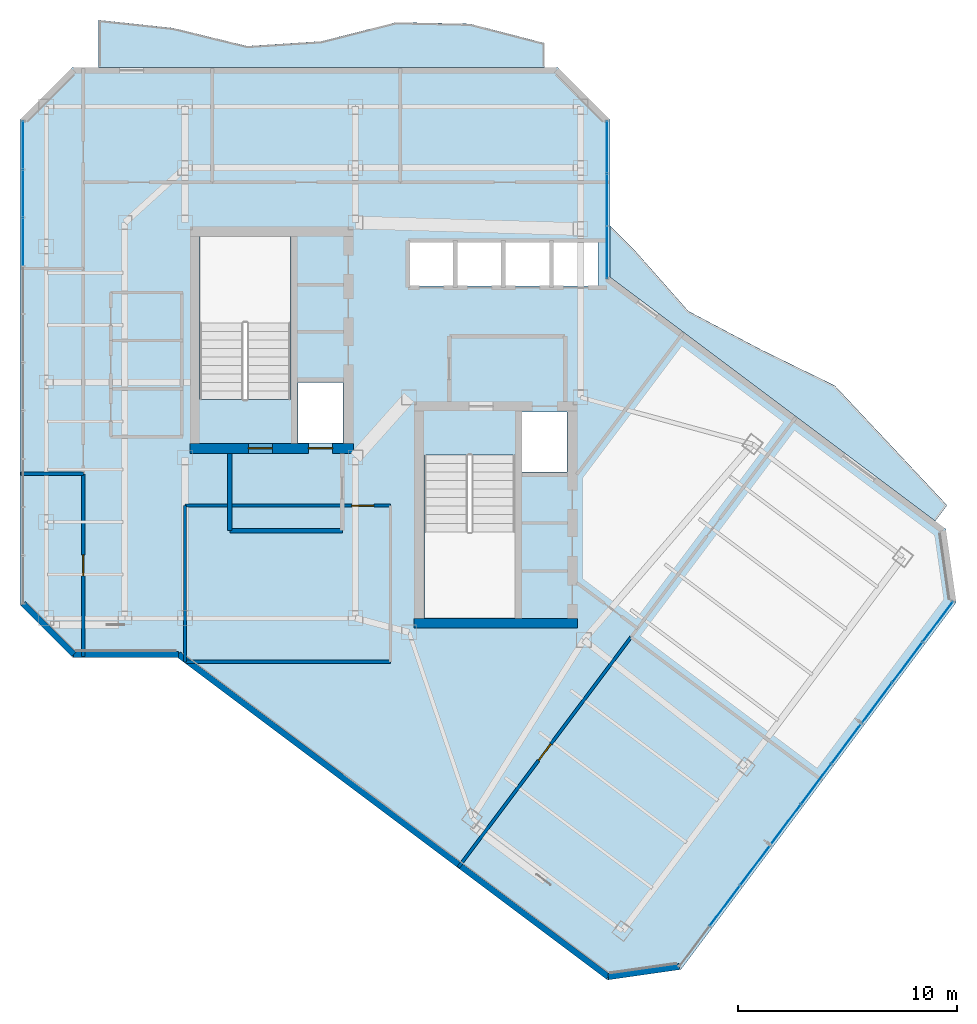
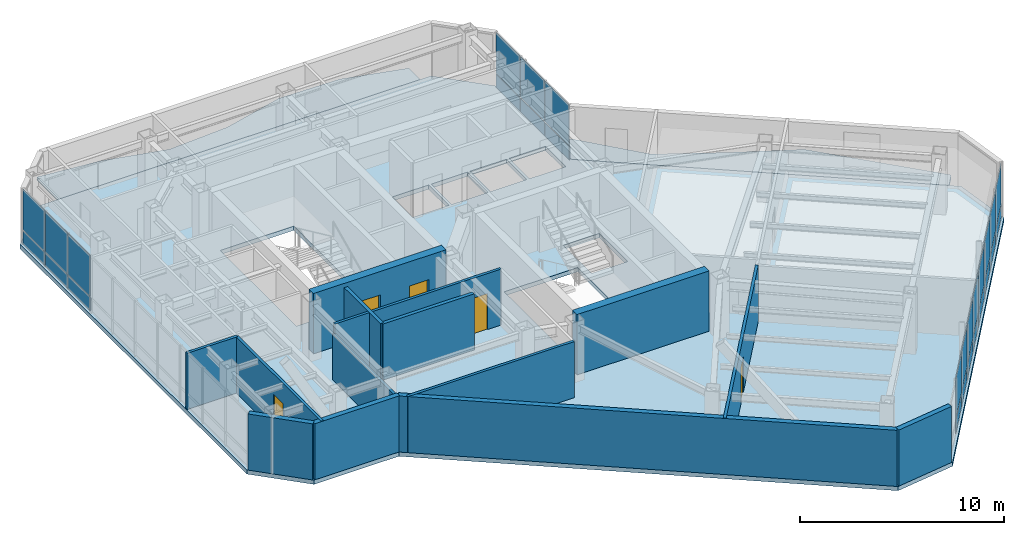
# One storey, part 19 of 25: 28 plates, 14 walls, 5 doors, 3 slabs, 5 openings, 3 elements without a shape of their own.
"""IFC4 building model written with IfcOpenShell, lengths in metres."""

from ifc_helpers import new_model, si_unit, direction, frame, frame_2d, origin, origin_2d, place, context, subcontext, project, spatial, polyline, rectangle, outline, extrude, material, layer, layer_set, type_object, element, fill, aggregate, save


model = new_model("IFC4")

# Units and contexts
model_context = context("Model", 3, precision=1e-05, world=origin(), true_north=direction((0.0, 1.0)))
body_context = subcontext(model_context, "Body", "Model", "MODEL_VIEW")
ifc_project = project(units=[si_unit("LENGTHUNIT", "METRE"), si_unit("AREAUNIT", "SQUARE_METRE"), si_unit("VOLUMEUNIT", "CUBIC_METRE"), si_unit("PLANEANGLEUNIT", "RADIAN"), si_unit("MASSUNIT", "GRAM", prefix="KILO")], contexts=[model_context])

# Site, building, storey
site_placement = place(None, origin())
site = spatial("IfcSite", under=ifc_project, at=site_placement, CompositionType="ELEMENT")
building_placement = place(site_placement, origin())
building = spatial("IfcBuilding", under=site, at=building_placement, Name="Hatsunagi Terrace Concourse", CompositionType="ELEMENT")
storey_placement = place(building_placement, frame((0.0, 0.0, 216.75)))
storey = spatial("IfcBuildingStorey", under=building, at=storey_placement, Name="L57", CompositionType="ELEMENT", Elevation=216.75)

# Curtain wall, plates
ifc_material_1 = material(Name="Anodised Aluminium Alloy 6063-T5", Category="aluminium")
ifc_layer_1 = layer(ifc_material_1, 0.199951171875)
ifc_layer_set_1 = layer_set([ifc_layer_1], Name="OfficeZone2_CW04")
curtain_wall_type = type_object("IfcCurtainWallType", Name="OfficeZone2_CW04", PredefinedType="NOTDEFINED", material=ifc_layer_set_1)
curtain_wall_1_placement = place(storey_placement, origin())
curtain_wall_1 = element("IfcCurtainWall", 1, at=curtain_wall_1_placement, inside=storey, type_object=curtain_wall_type, Name="Unitised Curtain Wall CW-04 CW-L57-03", PredefinedType="NOTDEFINED")
ifc_material_2 = material(Name="Warm Terracotta Ceramic Spandrel Panel", Category="masonry")
ifc_layer_2 = layer(ifc_material_2, 0.031982421875)
ifc_layer_set_2 = layer_set([ifc_layer_2], Name="CurtainWallSpandrelPanel_32")
plate_type_1 = type_object("IfcPlateType", Name="CurtainWallSpandrelPanel_32", PredefinedType="SHEET", material=ifc_layer_set_2)
plate_1_placement = place(storey_placement, frame((59.9970703125, 25.030029296875, 0.030029296875), z_axis=(0.0, 0.0, 1.0), x_axis=(-0.599969314634, -0.800023013105, 0.0)))
plate_1 = element("IfcPlate", 2, at=plate_1_placement, type_object=plate_type_1, Name="Terracotta Spandrel Panel SPN-01", PredefinedType="SHEET", context=body_context, shape_type="SweptSolid", body=[
    extrude(rectangle(XDim=2.264892578125, YDim=0.031982421875, at=origin_2d()), origin(), (0.0, 0.0, 1.0), 0.7900390625),
])
plate_2_placement = place(storey_placement, frame((58.60498046875, 23.173095703125, 0.030029296875), z_axis=(0.0, 0.0, 1.0), x_axis=(-0.599969314634, -0.800023013105, 0.0)))
plate_2 = element("IfcPlate", 3, at=plate_2_placement, type_object=plate_type_1, Name="Terracotta Spandrel Panel SPN-01", PredefinedType="SHEET", context=body_context, shape_type="SweptSolid", body=[
    extrude(rectangle(XDim=2.264892578125, YDim=0.031982421875, at=origin_2d()), origin(), (0.0, 0.0, 1.0), 0.7900390625),
])
plate_3_placement = place(storey_placement, frame((57.2119140625, 21.31689453125, 0.030029296875), z_axis=(0.0, 0.0, 1.0), x_axis=(-0.599969314634, -0.800023013105, 0.0)))
plate_3 = element("IfcPlate", 4, at=plate_3_placement, type_object=plate_type_1, Name="Terracotta Spandrel Panel SPN-01", PredefinedType="SHEET", context=body_context, shape_type="SweptSolid", body=[
    extrude(rectangle(XDim=2.264892578125, YDim=0.031982421875, at=origin_2d()), origin(), (0.0, 0.0, 1.0), 0.7900390625),
])
plate_4_placement = place(storey_placement, frame((55.820068359375, 19.4599609375, 0.030029296875), z_axis=(0.0, 0.0, 1.0), x_axis=(-0.599969314634, -0.800023013105, 0.0)))
plate_4 = element("IfcPlate", 5, at=plate_4_placement, type_object=plate_type_1, Name="Terracotta Spandrel Panel SPN-01", PredefinedType="SHEET", context=body_context, shape_type="SweptSolid", body=[
    extrude(rectangle(XDim=2.264892578125, YDim=0.031982421875, at=origin_2d()), origin(), (0.0, 0.0, 1.0), 0.7900390625),
])
plate_5_placement = place(storey_placement, frame((54.427978515625, 17.60400390625, 0.030029296875), z_axis=(0.0, 0.0, 1.0), x_axis=(-0.599969314634, -0.800023013105, 0.0)))
plate_5 = element("IfcPlate", 6, at=plate_5_placement, type_object=plate_type_1, Name="Terracotta Spandrel Panel SPN-01", PredefinedType="SHEET", context=body_context, shape_type="SweptSolid", body=[
    extrude(rectangle(XDim=2.264892578125, YDim=0.031982421875, at=origin_2d()), origin(), (0.0, 0.0, 1.0), 0.7900390625),
])
plate_6_placement = place(storey_placement, frame((53.035888671875, 15.748046875, 0.030029296875), z_axis=(0.0, 0.0, 1.0), x_axis=(-0.599969314634, -0.800023013105, 0.0)))
plate_6 = element("IfcPlate", 7, at=plate_6_placement, type_object=plate_type_1, Name="Terracotta Spandrel Panel SPN-01", PredefinedType="SHEET", context=body_context, shape_type="SweptSolid", body=[
    extrude(rectangle(XDim=2.264892578125, YDim=0.031982421875, at=origin_2d()), origin(), (0.0, 0.0, 1.0), 0.7900390625),
])
plate_7_placement = place(storey_placement, frame((51.64404296875, 13.89111328125, 0.030029296875), z_axis=(0.0, 0.0, 1.0), x_axis=(-0.599969314634, -0.800023013105, 0.0)))
plate_7 = element("IfcPlate", 8, at=plate_7_placement, type_object=plate_type_1, Name="Terracotta Spandrel Panel SPN-01", PredefinedType="SHEET", context=body_context, shape_type="SweptSolid", body=[
    extrude(rectangle(XDim=2.264892578125, YDim=0.031982421875, at=origin_2d()), origin(), (0.0, 0.0, 1.0), 0.7900390625),
])
plate_8_placement = place(storey_placement, frame((50.2509765625, 12.034912109375, 0.030029296875), z_axis=(0.0, 0.0, 1.0), x_axis=(-0.599969314634, -0.800023013105, 0.0)))
plate_8 = element("IfcPlate", 9, at=plate_8_placement, type_object=plate_type_1, Name="Terracotta Spandrel Panel SPN-01", PredefinedType="SHEET", context=body_context, shape_type="SweptSolid", body=[
    extrude(rectangle(XDim=2.264892578125, YDim=0.031982421875, at=origin_2d()), origin(), (0.0, 0.0, 1.0), 0.7900390625),
])

curtain_wall_2_placement = place(storey_placement, origin())
curtain_wall_2 = element("IfcCurtainWall", 10, at=curtain_wall_2_placement, inside=storey, type_object=curtain_wall_type, Name="Unitised Curtain Wall CW-04 CW-L57-08", PredefinedType="NOTDEFINED")
plate_9_placement = place(storey_placement, frame((18.139892578125, 42.4208984375, 0.030029296875), z_axis=(0.0, 0.0, 1.0), x_axis=(0.0, 1.0, 0.0)))
plate_9 = element("IfcPlate", 11, at=plate_9_placement, type_object=plate_type_1, Name="Terracotta Spandrel Panel SPN-01", PredefinedType="SHEET", context=body_context, shape_type="SweptSolid", body=[
    extrude(rectangle(XDim=2.153076171875, YDim=0.031982421875, at=origin_2d()), origin(), (0.0, 0.0, 1.0), 0.7900390625),
])
plate_10_placement = place(storey_placement, frame((18.139892578125, 44.62890625, 0.030029296875), z_axis=(0.0, 0.0, 1.0), x_axis=(0.0, 1.0, 0.0)))
plate_10 = element("IfcPlate", 12, at=plate_10_placement, type_object=plate_type_1, Name="Terracotta Spandrel Panel SPN-01", PredefinedType="SHEET", context=body_context, shape_type="SweptSolid", body=[
    extrude(rectangle(XDim=2.153076171875, YDim=0.031982421875, at=origin_2d()), origin(), (0.0, 0.0, 1.0), 0.7900390625),
])
plate_11_placement = place(storey_placement, frame((18.139892578125, 46.837890625, 0.030029296875), z_axis=(0.0, 0.0, 1.0), x_axis=(0.0, 1.0, 0.0)))
plate_11 = element("IfcPlate", 13, at=plate_11_placement, type_object=plate_type_1, Name="Terracotta Spandrel Panel SPN-01", PredefinedType="SHEET", context=body_context, shape_type="SweptSolid", body=[
    extrude(rectangle(XDim=2.153076171875, YDim=0.031982421875, at=origin_2d()), origin(), (0.0, 0.0, 1.0), 0.7900390625),
])

curtain_wall_3_placement = place(storey_placement, origin())
curtain_wall_3 = element("IfcCurtainWall", 14, at=curtain_wall_3_placement, inside=storey, type_object=curtain_wall_type, Name="Unitised Curtain Wall CW-04 CW-L57-12", PredefinedType="NOTDEFINED")
plate_12_placement = place(storey_placement, frame((44.860107421875, 46.739990234375, 0.030029296875), z_axis=(0.0, 0.0, 1.0), x_axis=(0.0, -1.0, 0.0)))
plate_12 = element("IfcPlate", 15, at=plate_12_placement, type_object=plate_type_1, Name="Terracotta Spandrel Panel SPN-01", PredefinedType="SHEET", context=body_context, shape_type="SweptSolid", body=[
    extrude(rectangle(XDim=2.34912109375, YDim=0.031982421875, at=origin_2d()), origin(), (0.0, 0.0, 1.0), 0.7900390625),
])
plate_13_placement = place(storey_placement, frame((44.860107421875, 44.3359375, 0.030029296875), z_axis=(0.0, 0.0, 1.0), x_axis=(0.0, -1.0, 0.0)))
plate_13 = element("IfcPlate", 16, at=plate_13_placement, type_object=plate_type_1, Name="Terracotta Spandrel Panel SPN-01", PredefinedType="SHEET", context=body_context, shape_type="SweptSolid", body=[
    extrude(rectangle(XDim=2.34912109375, YDim=0.031982421875, at=origin_2d()), origin(), (0.0, 0.0, 1.0), 0.7900390625),
])
plate_14_placement = place(storey_placement, frame((44.860107421875, 41.931884765625, 0.030029296875), z_axis=(0.0, 0.0, 1.0), x_axis=(0.0, -1.0, 0.0)))
plate_14 = element("IfcPlate", 17, at=plate_14_placement, type_object=plate_type_1, Name="Terracotta Spandrel Panel SPN-01", PredefinedType="SHEET", context=body_context, shape_type="SweptSolid", body=[
    extrude(rectangle(XDim=2.34912109375, YDim=0.031982421875, at=origin_2d()), origin(), (0.0, 0.0, 1.0), 0.7900390625),
])

# Plate
ifc_material_3 = material(Name="Low-E Double Insulating Glass 28mm", Category="glass")
ifc_layer_3 = layer(ifc_material_3, 0.028076171875)
ifc_layer_set_3 = layer_set([ifc_layer_3], Name="CurtainWallVisionGlass_28")
plate_type_2 = type_object("IfcPlateType", Name="CurtainWallVisionGlass_28", PredefinedType="CURTAIN_PANEL", material=ifc_layer_set_3)
plate_15_placement = place(storey_placement, frame((59.9970703125, 25.030029296875, 0.880126953125), z_axis=(0.0, 0.0, 1.0), x_axis=(-0.599969314634, -0.800023013105, 0.0)))
plate_15 = element("IfcPlate", 18, at=plate_15_placement, type_object=plate_type_2, Name="Low-E Vision Glass Panel GLZ-01", PredefinedType="CURTAIN_PANEL", context=body_context, shape_type="SweptSolid", body=[
    extrude(rectangle(XDim=2.264892578125, YDim=0.028076171875, at=origin_2d()), origin(), (0.0, 0.0, 1.0), 2.43994140625),
])

plate_16_placement = place(storey_placement, frame((58.60498046875, 23.173095703125, 0.880126953125), z_axis=(0.0, 0.0, 1.0), x_axis=(-0.599969314634, -0.800023013105, 0.0)))
plate_16 = element("IfcPlate", 19, at=plate_16_placement, type_object=plate_type_2, Name="Low-E Vision Glass Panel GLZ-01", PredefinedType="CURTAIN_PANEL", context=body_context, shape_type="SweptSolid", body=[
    extrude(rectangle(XDim=2.264892578125, YDim=0.028076171875, at=origin_2d()), origin(), (0.0, 0.0, 1.0), 2.43994140625),
])

plate_17_placement = place(storey_placement, frame((57.2119140625, 21.31689453125, 0.880126953125), z_axis=(0.0, 0.0, 1.0), x_axis=(-0.599969314634, -0.800023013105, 0.0)))
plate_17 = element("IfcPlate", 20, at=plate_17_placement, type_object=plate_type_2, Name="Low-E Vision Glass Panel GLZ-01", PredefinedType="CURTAIN_PANEL", context=body_context, shape_type="SweptSolid", body=[
    extrude(rectangle(XDim=2.264892578125, YDim=0.028076171875, at=origin_2d()), origin(), (0.0, 0.0, 1.0), 2.43994140625),
])

plate_18_placement = place(storey_placement, frame((55.820068359375, 19.4599609375, 0.880126953125), z_axis=(0.0, 0.0, 1.0), x_axis=(-0.599969314634, -0.800023013105, 0.0)))
plate_18 = element("IfcPlate", 21, at=plate_18_placement, type_object=plate_type_2, Name="Low-E Vision Glass Panel GLZ-01", PredefinedType="CURTAIN_PANEL", context=body_context, shape_type="SweptSolid", body=[
    extrude(rectangle(XDim=2.264892578125, YDim=0.028076171875, at=origin_2d()), origin(), (0.0, 0.0, 1.0), 2.43994140625),
])

plate_19_placement = place(storey_placement, frame((54.427978515625, 17.60400390625, 0.880126953125), z_axis=(0.0, 0.0, 1.0), x_axis=(-0.599969314634, -0.800023013105, 0.0)))
plate_19 = element("IfcPlate", 22, at=plate_19_placement, type_object=plate_type_2, Name="Low-E Vision Glass Panel GLZ-01", PredefinedType="CURTAIN_PANEL", context=body_context, shape_type="SweptSolid", body=[
    extrude(rectangle(XDim=2.264892578125, YDim=0.028076171875, at=origin_2d()), origin(), (0.0, 0.0, 1.0), 2.43994140625),
])

plate_20_placement = place(storey_placement, frame((53.035888671875, 15.748046875, 0.880126953125), z_axis=(0.0, 0.0, 1.0), x_axis=(-0.599969314634, -0.800023013105, 0.0)))
plate_20 = element("IfcPlate", 23, at=plate_20_placement, type_object=plate_type_2, Name="Low-E Vision Glass Panel GLZ-01", PredefinedType="CURTAIN_PANEL", context=body_context, shape_type="SweptSolid", body=[
    extrude(rectangle(XDim=2.264892578125, YDim=0.028076171875, at=origin_2d()), origin(), (0.0, 0.0, 1.0), 2.43994140625),
])

plate_21_placement = place(storey_placement, frame((51.64404296875, 13.89111328125, 0.880126953125), z_axis=(0.0, 0.0, 1.0), x_axis=(-0.599969314634, -0.800023013105, 0.0)))
plate_21 = element("IfcPlate", 24, at=plate_21_placement, type_object=plate_type_2, Name="Low-E Vision Glass Panel GLZ-01", PredefinedType="CURTAIN_PANEL", context=body_context, shape_type="SweptSolid", body=[
    extrude(rectangle(XDim=2.264892578125, YDim=0.028076171875, at=origin_2d()), origin(), (0.0, 0.0, 1.0), 2.43994140625),
])

plate_22_placement = place(storey_placement, frame((50.2509765625, 12.034912109375, 0.880126953125), z_axis=(0.0, 0.0, 1.0), x_axis=(-0.599969314634, -0.800023013105, 0.0)))
plate_22 = element("IfcPlate", 25, at=plate_22_placement, type_object=plate_type_2, Name="Low-E Vision Glass Panel GLZ-01", PredefinedType="CURTAIN_PANEL", context=body_context, shape_type="SweptSolid", body=[
    extrude(rectangle(XDim=2.264892578125, YDim=0.028076171875, at=origin_2d()), origin(), (0.0, 0.0, 1.0), 2.43994140625),
])

aggregate(curtain_wall_1, [plate_1, plate_15, plate_2, plate_16, plate_3, plate_17, plate_4, plate_18, plate_5, plate_19, plate_6, plate_20, plate_7, plate_21, plate_8, plate_22])

plate_23_placement = place(storey_placement, frame((18.139892578125, 42.4208984375, 0.880126953125), z_axis=(0.0, 0.0, 1.0), x_axis=(0.0, 1.0, 0.0)))
plate_23 = element("IfcPlate", 26, at=plate_23_placement, type_object=plate_type_2, Name="Low-E Vision Glass Panel GLZ-01", PredefinedType="CURTAIN_PANEL", context=body_context, shape_type="SweptSolid", body=[
    extrude(rectangle(XDim=2.153076171875, YDim=0.028076171875, at=origin_2d()), origin(), (0.0, 0.0, 1.0), 2.43994140625),
])

plate_24_placement = place(storey_placement, frame((18.139892578125, 44.62890625, 0.880126953125), z_axis=(0.0, 0.0, 1.0), x_axis=(0.0, 1.0, 0.0)))
plate_24 = element("IfcPlate", 27, at=plate_24_placement, type_object=plate_type_2, Name="Low-E Vision Glass Panel GLZ-01", PredefinedType="CURTAIN_PANEL", context=body_context, shape_type="SweptSolid", body=[
    extrude(rectangle(XDim=2.153076171875, YDim=0.028076171875, at=origin_2d()), origin(), (0.0, 0.0, 1.0), 2.43994140625),
])

plate_25_placement = place(storey_placement, frame((18.139892578125, 46.837890625, 0.880126953125), z_axis=(0.0, 0.0, 1.0), x_axis=(0.0, 1.0, 0.0)))
plate_25 = element("IfcPlate", 28, at=plate_25_placement, type_object=plate_type_2, Name="Low-E Vision Glass Panel GLZ-01", PredefinedType="CURTAIN_PANEL", context=body_context, shape_type="SweptSolid", body=[
    extrude(rectangle(XDim=2.153076171875, YDim=0.028076171875, at=origin_2d()), origin(), (0.0, 0.0, 1.0), 2.43994140625),
])

aggregate(curtain_wall_2, [plate_9, plate_23, plate_10, plate_24, plate_11, plate_25])

plate_26_placement = place(storey_placement, frame((44.860107421875, 46.739990234375, 0.880126953125), z_axis=(0.0, 0.0, 1.0), x_axis=(0.0, -1.0, 0.0)))
plate_26 = element("IfcPlate", 29, at=plate_26_placement, type_object=plate_type_2, Name="Low-E Vision Glass Panel GLZ-01", PredefinedType="CURTAIN_PANEL", context=body_context, shape_type="SweptSolid", body=[
    extrude(rectangle(XDim=2.34912109375, YDim=0.028076171875, at=origin_2d()), origin(), (0.0, 0.0, 1.0), 2.43994140625),
])

plate_27_placement = place(storey_placement, frame((44.860107421875, 44.3359375, 0.880126953125), z_axis=(0.0, 0.0, 1.0), x_axis=(0.0, -1.0, 0.0)))
plate_27 = element("IfcPlate", 30, at=plate_27_placement, type_object=plate_type_2, Name="Low-E Vision Glass Panel GLZ-01", PredefinedType="CURTAIN_PANEL", context=body_context, shape_type="SweptSolid", body=[
    extrude(rectangle(XDim=2.34912109375, YDim=0.028076171875, at=origin_2d()), origin(), (0.0, 0.0, 1.0), 2.43994140625),
])

plate_28_placement = place(storey_placement, frame((44.860107421875, 41.931884765625, 0.880126953125), z_axis=(0.0, 0.0, 1.0), x_axis=(0.0, -1.0, 0.0)))
plate_28 = element("IfcPlate", 31, at=plate_28_placement, type_object=plate_type_2, Name="Low-E Vision Glass Panel GLZ-01", PredefinedType="CURTAIN_PANEL", context=body_context, shape_type="SweptSolid", body=[
    extrude(rectangle(XDim=2.34912109375, YDim=0.028076171875, at=origin_2d()), origin(), (0.0, 0.0, 1.0), 2.43994140625),
])

aggregate(curtain_wall_3, [plate_12, plate_26, plate_13, plate_27, plate_14, plate_28])

# Slabs
ifc_material_4 = material(Name="Concrete Fc42", Category="concrete")
ifc_layer_4 = layer(ifc_material_4, 0.199951171875)
ifc_layer_set_4 = layer_set([ifc_layer_4], Name="EngawaBalconySlab_Fc42_200")
slab_type_1 = type_object("IfcSlabType", Name="EngawaBalconySlab_Fc42_200", PredefinedType="FLOOR", material=ifc_layer_set_4)
slab_1_placement = place(storey_placement, frame((0.0, 0.0, -0.199951171875)))
element("IfcSlab", 32, at=slab_1_placement, inside=storey, type_object=slab_type_1, Name="Engawa Balcony Slab BAL-L57-BN", PredefinedType="FLOOR", context=body_context, shape_type="SweptSolid", body=[
    extrude(outline(polyline([(21.60009765625, 52.568115234375), (21.60009765625, 50.39990234375), (42.0, 50.39990234375), (42.0, 51.514892578125), (38.60009765625, 52.39306640625), (35.199951171875, 52.4619140625), (31.800048828125, 51.595947265625), (28.39990234375, 51.3759765625), (25.0, 52.2041015625), (21.60009765625, 52.568115234375)])), origin(), (0.0, 0.0, 1.0), 0.199951171875),
])
slab_2_placement = place(storey_placement, frame((0.0, 0.0, -0.199951171875)))
element("IfcSlab", 33, at=slab_2_placement, inside=storey, type_object=slab_type_1, Name="Engawa Balcony Slab BAL-L57-BSE", PredefinedType="FLOOR", context=body_context, shape_type="SweptSolid", body=[
    extrude(outline(polyline([(46.0810546875, 42.074951171875), (44.99609375, 43.152099609375), (44.99609375, 40.802978515625), (59.8798828125, 29.639892578125), (60.419921875, 30.360107421875), (55.279052734375, 35.839111328125), (51.89306640625, 37.489990234375), (48.583984375, 39.2451171875), (46.0810546875, 42.074951171875)])), origin(), (0.0, 0.0, 1.0), 0.199951171875),
])
ifc_material_5 = material(Name="Concrete Fc42", Category="concrete")
ifc_layer_5 = layer(ifc_material_5, 0.25)
ifc_layer_set_5 = layer_set([ifc_layer_5], Name="OfficeCrownSlab_Fc42_250")
slab_type_2 = type_object("IfcSlabType", Name="OfficeCrownSlab_Fc42_250", PredefinedType="FLOOR", material=ifc_layer_set_5)
slab_3_placement = place(storey_placement, frame((0.0, 0.0, -0.25)))
element("IfcSlab", 34, at=slab_3_placement, inside=storey, type_object=slab_type_2, Name="Floor Slab SL-250 L57", PredefinedType="FLOOR", context=body_context, shape_type="SweptSolid", body=[
    extrude(outline(polyline([(45.0, 40.800048828125), (45.0, 48.0), (42.60009765625, 50.39990234375), (20.39990234375, 50.39990234375), (18.0, 48.0), (18.0, 25.800048828125), (20.39990234375, 23.39990234375), (25.199951171875, 23.39990234375), (44.8798828125, 8.639892578125), (48.239990234375, 9.1201171875), (60.840087890625, 25.919921875), (60.360107421875, 29.280029296875), (45.0, 40.800048828125)]), holes=[polyline([(26.22998046875, 35.205078125), (30.3798828125, 35.205078125), (30.3798828125, 42.659912109375), (26.22998046875, 42.659912109375), (26.22998046875, 35.205078125)]), polyline([(36.5, 25.199951171875), (40.64990234375, 25.199951171875), (40.64990234375, 32.655029296875), (36.5, 32.655029296875), (36.5, 25.199951171875)]), polyline([(30.719970703125, 33.219970703125), (32.780029296875, 33.219970703125), (32.780029296875, 35.97998046875), (30.719970703125, 35.97998046875), (30.719970703125, 33.219970703125)]), polyline([(40.97998046875, 31.8798828125), (43.02001953125, 31.8798828125), (43.02001953125, 34.639892578125), (40.97998046875, 34.639892578125), (40.97998046875, 31.8798828125)]), polyline([(35.800048828125, 40.39990234375), (37.85009765625, 40.39990234375), (37.85009765625, 42.39990234375), (35.800048828125, 42.39990234375), (35.800048828125, 40.39990234375)]), polyline([(38.0, 40.39990234375), (40.050048828125, 40.39990234375), (40.050048828125, 42.39990234375), (38.0, 42.39990234375), (38.0, 40.39990234375)]), polyline([(40.199951171875, 40.39990234375), (42.25, 40.39990234375), (42.25, 42.39990234375), (40.199951171875, 42.39990234375), (40.199951171875, 40.39990234375)]), polyline([(42.39990234375, 40.39990234375), (44.449951171875, 40.39990234375), (44.449951171875, 42.39990234375), (42.39990234375, 42.39990234375), (42.39990234375, 40.39990234375)])]), origin(), (0.0, 0.0, 1.0), 0.25),
])

# Wall, openings, doors
ifc_material_6 = material(Name="Concrete Fc42", Category="concrete")
ifc_layer_6 = layer(ifc_material_6, 0.449951171875)
ifc_layer_set_6 = layer_set([ifc_layer_6], Name="CoreShearWall_Fc42_450")
wall_type_1 = type_object("IfcWallType", Name="CoreShearWall_Fc42_450", PredefinedType="SHEAR", material=ifc_layer_set_6)
wall_1_placement = place(storey_placement, frame((25.77001953125, 32.965087890625, 0.0), z_axis=(0.0, 0.0, 1.0), x_axis=(1.0, 0.0, 0.0)))
wall_1 = element("IfcWall", 35, at=wall_1_placement, inside=storey, type_object=wall_type_1, Name="Core A Shear Wall S L57", PredefinedType="SHEAR", context=body_context, shape_type="SweptSolid", body=[
    extrude(rectangle(XDim=7.47998046875, YDim=0.449951171875, at=frame_2d((3.739990234375, 0.0))), origin(), (0.0, 0.0, 1.0), 3.60009765625),
])
opening_1_placement = place(wall_1_placement, frame((2.679931640625, 0.0, 0.0)))
opening_1 = element("IfcOpeningElement", 36, at=opening_1_placement, cuts=wall_1, Name="Opening DR-110S", PredefinedType="OPENING", context=body_context, shape_type="SweptSolid", body=[
    extrude(rectangle(XDim=1.10009765625, YDim=2.199951171875, at=frame_2d((0.550048828125, 1.10009765625))), frame((0.0, 0.23486328125, 0.0), z_axis=(0.0, -1.0, 0.0), x_axis=(1.0, 0.0, 0.0)), (0.0, 0.0, 1.0), 0.469970703125),
])
opening_2_placement = place(wall_1_placement, frame((5.429931640625, 0.0, 0.0)))
opening_2 = element("IfcOpeningElement", 37, at=opening_2_placement, cuts=wall_1, Name="Opening LD-01", PredefinedType="OPENING", context=body_context, shape_type="SweptSolid", body=[
    extrude(rectangle(XDim=1.10009765625, YDim=2.14990234375, at=frame_2d((0.550048828125, 1.074951171875))), frame((0.0, 0.23486328125, 0.0), z_axis=(0.0, -1.0, 0.0), x_axis=(1.0, 0.0, 0.0)), (0.0, 0.0, 1.0), 0.469970703125),
])
ifc_material_7 = material(Name="Stainless steel", Category="steel")
door_type_1 = type_object("IfcDoorType", Name="LiftLandingDoor_LD01", OperationType="SLIDING_TO_LEFT", PredefinedType="USERDEFINED", material=ifc_material_7)
door_1_placement = place(opening_2_placement, origin())
door_1 = element("IfcDoor", 38, at=door_1_placement, inside=storey, type_object=door_type_1, Name="Lift landing door FF-01 L57", ObjectType="SLIDING_LANDING_DOOR", OperationType="SLIDING_TO_LEFT", OverallHeight=2.14990234375, OverallWidth=1.10009765625, PredefinedType="USERDEFINED", context=body_context, shape_type="SweptSolid", body=[
    extrude(rectangle(XDim=1.10009765625, YDim=2.14990234375, at=frame_2d((0.550048828125, 1.074951171875))), frame((0.0, 0.02490234375, 0.0), z_axis=(0.0, -1.0, 0.0), x_axis=(1.0, 0.0, 0.0)), (0.0, 0.0, 1.0), 0.050048828125),
])
fill(opening_2, door_1)
ifc_material_8 = material(Name="Painted steel", Category="steel")
door_type_2 = type_object("IfcDoorType", Name="StairFireDoor_EI60_1100", OperationType="NOTDEFINED", PredefinedType="DOOR", material=ifc_material_8)
door_2_placement = place(opening_1_placement, origin())
door_2 = element("IfcDoor", 39, at=door_2_placement, inside=storey, type_object=door_type_2, Name="Stair ST-A Exit Door L57", OperationType="SINGLE_SWING_LEFT", OverallHeight=2.199951171875, OverallWidth=1.10009765625, PredefinedType="DOOR", context=body_context, shape_type="SweptSolid", body=[
    extrude(rectangle(XDim=1.10009765625, YDim=2.199951171875, at=frame_2d((0.550048828125, 1.10009765625))), frame((0.0, 0.02490234375, 0.0), z_axis=(0.0, -1.0, 0.0), x_axis=(1.0, 0.0, 0.0)), (0.0, 0.0, 1.0), 0.050048828125),
])
fill(opening_1, door_2)

# Walls
wall_2_placement = place(storey_placement, frame((36.0400390625, 24.965087890625, 0.0), z_axis=(0.0, 0.0, 1.0), x_axis=(1.0, 0.0, 0.0)))
element("IfcWall", 40, at=wall_2_placement, inside=storey, type_object=wall_type_1, Name="Core B Shear Wall S L57", PredefinedType="SHEAR", context=body_context, shape_type="SweptSolid", body=[
    extrude(rectangle(XDim=7.4599609375, YDim=0.449951171875, at=frame_2d((3.72998046875, 0.0))), origin(), (0.0, 0.0, 1.0), 3.60009765625),
])
ifc_material_9 = material(Name="Acoustic mineral board", Category="gypsum")
ifc_layer_7 = layer(ifc_material_9, 0.14990234375)
ifc_layer_set_7 = layer_set([ifc_layer_7], Name="PartitionWall_EI60_150")
wall_type_2 = type_object("IfcWallType", Name="PartitionWall_EI60_150", PredefinedType="PARTITIONING", material=ifc_layer_set_7)
wall_3_placement = place(storey_placement, frame((25.550048828125, 23.199951171875, 0.0), z_axis=(0.0, 0.0, 1.0), x_axis=(1.0, 0.0, 0.0)))
element("IfcWall", 41, at=wall_3_placement, inside=storey, type_object=wall_type_2, Name="Interior Partition IW-L57-027", PredefinedType="PARTITIONING", context=body_context, shape_type="SweptSolid", body=[
    extrude(rectangle(XDim=9.39990234375, YDim=0.14990234375, at=frame_2d((4.699951171875, 0.0))), origin(), (0.0, 0.0, 1.0), 3.35009765625),
])

# Wall, opening, door
wall_4_placement = place(storey_placement, frame((25.550048828125, 30.35009765625, 0.0), z_axis=(0.0, 0.0, 1.0), x_axis=(1.0, 0.0, 0.0)))
wall_4 = element("IfcWall", 42, at=wall_4_placement, inside=storey, type_object=wall_type_2, Name="Interior Partition IW-L57-028", PredefinedType="PARTITIONING", context=body_context, shape_type="SweptSolid", body=[
    extrude(rectangle(XDim=9.39990234375, YDim=0.14990234375, at=frame_2d((4.699951171875, 0.0))), origin(), (0.0, 0.0, 1.0), 3.35009765625),
])
opening_3_placement = place(wall_4_placement, frame((7.637939453125, 0.0, 0.0)))
opening_3 = element("IfcOpeningElement", 43, at=opening_3_placement, cuts=wall_4, Name="Opening DR-100S", PredefinedType="OPENING", context=body_context, shape_type="SweptSolid", body=[
    extrude(rectangle(XDim=1.0, YDim=2.14990234375, at=frame_2d((0.5, 1.074951171875))), frame((0.0, 0.0849609375, 0.0), z_axis=(0.0, -1.0, 0.0), x_axis=(1.0, 0.0, 0.0)), (0.0, 0.0, 1.0), 0.169921875),
])
ifc_material_10 = material(Name="Hardwood timber", Category="wood")
door_type_3 = type_object("IfcDoorType", Name="SuiteDoor_EI30_1000", OperationType="NOTDEFINED", PredefinedType="DOOR", material=ifc_material_10)
door_3_placement = place(opening_3_placement, origin())
door_3 = element("IfcDoor", 44, at=door_3_placement, inside=storey, type_object=door_type_3, Name="Design Studio L57-RECL1 Door", OperationType="SINGLE_SWING_RIGHT", OverallHeight=2.14990234375, OverallWidth=1.0, PredefinedType="DOOR", context=body_context, shape_type="SweptSolid", body=[
    extrude(rectangle(XDim=1.0, YDim=2.14990234375, at=frame_2d((0.5, 1.074951171875))), frame((0.0, 0.02490234375, 0.0), z_axis=(0.0, -1.0, 0.0), x_axis=(1.0, 0.0, 0.0)), (0.0, 0.0, 1.0), 0.050048828125),
])
fill(opening_3, door_3)

# Walls
wall_5_placement = place(storey_placement, frame((25.550048828125, 23.199951171875, 0.0), z_axis=(0.0, 0.0, 1.0), x_axis=(0.0, 1.0, 0.0)))
element("IfcWall", 45, at=wall_5_placement, inside=storey, type_object=wall_type_2, Name="Interior Partition IW-L57-029", PredefinedType="PARTITIONING", context=body_context, shape_type="SweptSolid", body=[
    extrude(rectangle(XDim=7.150146484375, YDim=0.14990234375, at=frame_2d((3.5751953125, 0.0))), origin(), (0.0, 0.0, 1.0), 2.757080078125),
])
wall_6_placement = place(storey_placement, frame((18.0400390625, 31.800048828125, 0.0), z_axis=(0.0, 0.0, 1.0), x_axis=(1.0, 0.0, 0.0)))
element("IfcWall", 46, at=wall_6_placement, inside=storey, type_object=wall_type_2, Name="Interior Partition IW-L57-031", PredefinedType="PARTITIONING", context=body_context, shape_type="SweptSolid", body=[
    extrude(rectangle(XDim=2.85986328125, YDim=0.14990234375, at=frame_2d((1.429931640625, 0.0))), origin(), (0.0, 0.0, 1.0), 3.35009765625),
])

# Wall, opening, door
wall_7_placement = place(storey_placement, frame((20.89990234375, 23.43994140625, 0.0), z_axis=(0.0, 0.0, 1.0), x_axis=(0.0, 1.0, 0.0)))
wall_7 = element("IfcWall", 47, at=wall_7_placement, inside=storey, type_object=wall_type_2, Name="Interior Partition IW-L57-032", PredefinedType="PARTITIONING", context=body_context, shape_type="SweptSolid", body=[
    extrude(rectangle(XDim=8.360107421875, YDim=0.14990234375, at=frame_2d((4.18017578125, 0.0))), origin(), (0.0, 0.0, 1.0), 3.35009765625),
])
opening_4_placement = place(wall_7_placement, frame((3.705078125, 0.0, 0.0)))
opening_4 = element("IfcOpeningElement", 48, at=opening_4_placement, cuts=wall_7, Name="Opening DR-095", PredefinedType="OPENING", context=body_context, shape_type="SweptSolid", body=[
    extrude(rectangle(XDim=0.949951171875, YDim=2.14990234375, at=frame_2d((0.47509765625, 1.074951171875))), frame((0.0, 0.0849609375, 0.0), z_axis=(0.0, -1.0, 0.0), x_axis=(1.0, 0.0, 0.0)), (0.0, 0.0, 1.0), 0.169921875),
])
ifc_material_11 = material(Name="Hardwood timber", Category="wood")
door_type_4 = type_object("IfcDoorType", Name="InteriorSuiteDoor_EI30_950", OperationType="NOTDEFINED", PredefinedType="DOOR", material=ifc_material_11)
door_4_placement = place(opening_4_placement, origin())
door_4 = element("IfcDoor", 49, at=door_4_placement, inside=storey, type_object=door_type_4, Name="Boardroom L57-OW1 Door", OperationType="SINGLE_SWING_RIGHT", OverallHeight=2.14990234375, OverallWidth=0.949951171875, PredefinedType="DOOR", context=body_context, shape_type="SweptSolid", body=[
    extrude(rectangle(XDim=0.949951171875, YDim=2.14990234375, at=frame_2d((0.47509765625, 1.074951171875))), frame((0.0, 0.02490234375, 0.0), z_axis=(0.0, -1.0, 0.0), x_axis=(1.0, 0.0, 0.0)), (0.0, 0.0, 1.0), 0.050048828125),
])
fill(opening_4, door_4)

wall_8_placement = place(storey_placement, frame((38.06396484375, 13.802001953125, 0.0), z_axis=(0.0, 0.0, 1.0), x_axis=(0.599997031734, 0.800002226191, 0.0)))
wall_8 = element("IfcWall", 50, at=wall_8_placement, inside=storey, type_object=wall_type_2, Name="Interior Partition IW-L57-042", PredefinedType="PARTITIONING", context=body_context, shape_type="SweptSolid", body=[
    extrude(rectangle(XDim=13.16015625, YDim=0.14990234375, at=frame_2d((6.580078125, 0.0))), origin(), (0.0, 0.0, 1.0), 3.35009765625),
])
opening_5_placement = place(wall_8_placement, frame((6.10498046875, 0.0, 0.0)))
opening_5 = element("IfcOpeningElement", 51, at=opening_5_placement, cuts=wall_8, Name="Opening DR-095", PredefinedType="OPENING", context=body_context, shape_type="SweptSolid", body=[
    extrude(rectangle(XDim=0.949951171875, YDim=2.14990234375, at=frame_2d((0.47509765625, 1.074951171875))), frame((0.0, 0.0849609375, 0.0), z_axis=(0.0, -1.0, 0.0), x_axis=(1.0, 0.0, 0.0)), (0.0, 0.0, 1.0), 0.169921875),
])
door_5_placement = place(opening_5_placement, origin())
door_5 = element("IfcDoor", 52, at=door_5_placement, inside=storey, type_object=door_type_4, Name="Design Studio L57-OSE1 Door", OperationType="SINGLE_SWING_RIGHT", OverallHeight=2.14990234375, OverallWidth=0.949951171875, PredefinedType="DOOR", context=body_context, shape_type="SweptSolid", body=[
    extrude(rectangle(XDim=0.949951171875, YDim=2.14990234375, at=frame_2d((0.47509765625, 1.074951171875))), frame((0.0, 0.02490234375, 0.0), z_axis=(0.0, -1.0, 0.0), x_axis=(1.0, 0.0, 0.0)), (0.0, 0.0, 1.0), 0.050048828125),
])
fill(opening_5, door_5)

# Walls
ifc_material_12 = material(Name="Acoustic mineral board", Category="gypsum")
ifc_layer_8 = layer(ifc_material_12, 0.199951171875)
ifc_layer_set_8 = layer_set([ifc_layer_8], Name="ShaftWall_EI120_200")
wall_type_3 = type_object("IfcWallType", Name="ShaftWall_EI120_200", PredefinedType="STANDARD", material=ifc_layer_set_8)
wall_9_placement = place(storey_placement, frame((27.60009765625, 29.199951171875, 0.0), z_axis=(0.0, 0.0, 1.0), x_axis=(1.0, 0.0, 0.0)))
element("IfcWall", 53, at=wall_9_placement, inside=storey, type_object=wall_type_3, Name="Interior Partition IW-L57-007", PredefinedType="STANDARD", context=body_context, shape_type="SweptSolid", body=[
    extrude(rectangle(XDim=5.14990234375, YDim=0.199951171875, at=frame_2d((2.574951171875, 0.0))), origin(), (0.0, 0.0, 1.0), 3.35009765625),
])
wall_10_placement = place(storey_placement, frame((27.60009765625, 29.199951171875, 0.0), z_axis=(0.0, 0.0, 1.0), x_axis=(0.0, 1.0, 0.0)))
element("IfcWall", 54, at=wall_10_placement, inside=storey, type_object=wall_type_3, Name="Interior Partition IW-L57-008", PredefinedType="STANDARD", context=body_context, shape_type="SweptSolid", body=[
    extrude(rectangle(XDim=3.5400390625, YDim=0.199951171875, at=frame_2d((1.77001953125, 0.0))), origin(), (0.0, 0.0, 1.0), 3.35009765625),
])
ifc_material_13 = material(Name="Autoclaved Lightweight Concrete and Terracotta Cladding", Category="masonry")
ifc_layer_9 = layer(ifc_material_13, 0.280029296875)
ifc_layer_set_9 = layer_set([ifc_layer_9], Name="TerracottaSpandrelWall_280")
wall_type_4 = type_object("IfcWallType", Name="TerracottaSpandrelWall_280", PredefinedType="STANDARD", material=ifc_layer_set_9)
wall_11_placement = place(storey_placement, frame((48.1630859375, 9.25, 0.0), z_axis=(0.0, 0.0, 1.0), x_axis=(-0.989979263428, -0.141212810973, 0.0)))
element("IfcWall", 55, at=wall_11_placement, inside=storey, type_object=wall_type_4, Name="Exterior Spandrel Wall EW-L57-04", PredefinedType="STANDARD", context=body_context, shape_type="SweptSolid", body=[
    extrude(rectangle(XDim=3.278076171875, YDim=0.280029296875, at=frame_2d((1.63916015625, 0.0))), origin(), (0.0, 0.0, 1.0), 3.35009765625),
])
wall_12_placement = place(storey_placement, frame((44.91796875, 8.787109375, 0.0), z_axis=(0.0, 0.0, 1.0), x_axis=(-0.800004765927, 0.599993645378, 0.0)))
element("IfcWall", 56, at=wall_12_placement, inside=storey, type_object=wall_type_4, Name="Exterior Spandrel Wall EW-L57-05", PredefinedType="STANDARD", context=body_context, shape_type="SweptSolid", body=[
    extrude(rectangle(XDim=24.58837890625, YDim=0.280029296875, at=frame_2d((12.294189453125, 0.0))), origin(), (0.0, 0.0, 1.0), 3.35009765625),
])
wall_13_placement = place(storey_placement, frame((25.2470703125, 23.5400390625, 0.0), z_axis=(0.0, 0.0, 1.0), x_axis=(-1.0, 0.0, 0.0)))
element("IfcWall", 57, at=wall_13_placement, inside=storey, type_object=wall_type_4, Name="Exterior Spandrel Wall EW-L57-06", PredefinedType="STANDARD", context=body_context, shape_type="SweptSolid", body=[
    extrude(rectangle(XDim=4.7890625, YDim=0.280029296875, at=frame_2d((2.39453125, 0.0))), origin(), (0.0, 0.0, 1.0), 3.35009765625),
])
wall_14_placement = place(storey_placement, frame((20.4580078125, 23.5400390625, 0.0), z_axis=(0.0, 0.0, 1.0), x_axis=(-0.707144017911, 0.707069542501, 0.0)))
element("IfcWall", 58, at=wall_14_placement, inside=storey, type_object=wall_type_4, Name="Exterior Spandrel Wall EW-L57-07", PredefinedType="STANDARD", context=body_context, shape_type="SweptSolid", body=[
    extrude(rectangle(XDim=3.278076171875, YDim=0.280029296875, at=frame_2d((1.63916015625, 0.0))), origin(), (0.0, 0.0, 1.0), 3.35009765625),
])

save(model, "model.ifc")
